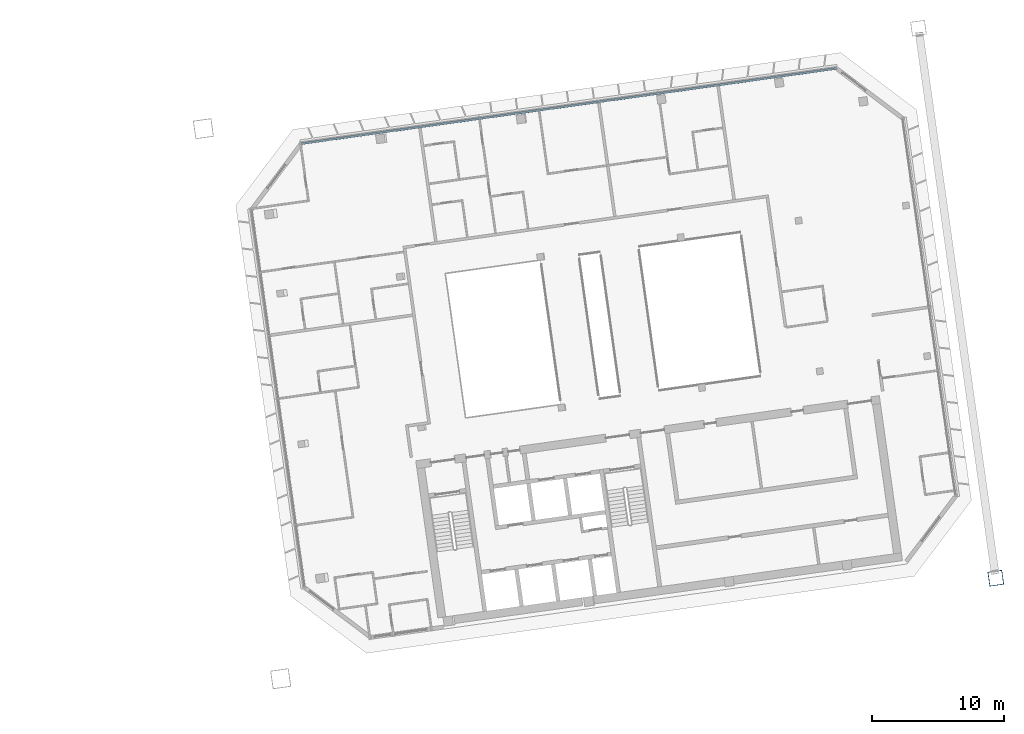
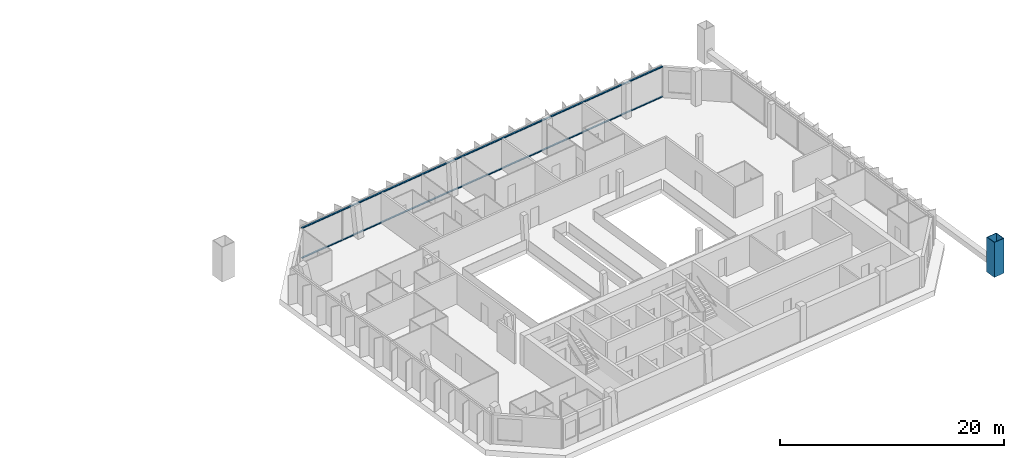
# One storey, part 10 of 26: 3 members, 1 element without a shape of its own.
"""IFC4 building model written with IfcOpenShell, lengths in metres."""

from ifc_helpers import new_model, si_unit, direction, frame, origin, origin_2d, place, context, subcontext, project, spatial, rectangle, hollow_rectangle, extrude, material, material_profile, profile_set, type_object, element, aggregate, save


model = new_model("IFC4")

# Units and contexts
model_context = context("Model", 3, precision=1e-05, world=origin(), true_north=direction((0.0, 1.0)))
body_context = subcontext(model_context, "Body", "Model", "MODEL_VIEW")
ifc_project = project(units=[si_unit("LENGTHUNIT", "METRE"), si_unit("AREAUNIT", "SQUARE_METRE"), si_unit("VOLUMEUNIT", "CUBIC_METRE"), si_unit("PLANEANGLEUNIT", "RADIAN"), si_unit("MASSUNIT", "GRAM", prefix="KILO")], contexts=[model_context])

# Site, building, storey
site_placement = place(None, origin())
site = spatial("IfcSite", under=ifc_project, at=site_placement, CompositionType="ELEMENT")
building_placement = place(site_placement, origin())
building = spatial("IfcBuilding", under=site, at=building_placement, Name="Mirante Cascada Hotel Towers", CompositionType="ELEMENT")
storey_placement = place(building_placement, frame((0.0, 0.0, 216.6)))
storey = spatial("IfcBuildingStorey", under=building, at=storey_placement, Name="L51", CompositionType="ELEMENT", Elevation=216.6)

# Member
ifc_material_1 = material(Name="Steel ASTM A572 Gr 50", Category="steel")
ifc_material_profile_1 = material_profile(ifc_material_1, hollow_rectangle(XDim=1.1, YDim=1.1, WallThickness=0.05, at=origin_2d()), Name="Box post 1100x1100x50 ASTM A572 Gr 50")
ifc_profile_set_1 = profile_set([ifc_material_profile_1], Name="Steel ASTM A572 Gr 50")
member_type_1 = type_object("IfcMemberType", Name="Box post 1100x1100x50 ASTM A572 Gr 50", PredefinedType="POST", material=ifc_profile_set_1)
member_1_placement = place(storey_placement, frame((79.4652, -16.2545, 0.0), z_axis=(0.0, 0.0, 1.0), x_axis=(0.9902681, 0.1391731, 0.0)))
element("IfcMember", 1, at=member_1_placement, inside=storey, type_object=member_type_1, Name="Mega column MP4 T2 L51", PredefinedType="POST", context=body_context, shape_type="SweptSolid", body=[
    extrude(hollow_rectangle(XDim=1.1, YDim=1.1, WallThickness=0.05, at=origin_2d()), origin(), (0.0, 0.0, 1.0), 3.8),
])

# Curtain wall, members
ifc_material_2 = material(Name="Aluminium mullion and transom frame with clear laminated glass", Category="aluminium")
curtain_wall_type = type_object("IfcCurtainWallType", Name="Ribbon curtain wall ECW1", PredefinedType="NOTDEFINED", material=ifc_material_2)
curtain_wall_placement = place(storey_placement, origin())
curtain_wall = element("IfcCurtainWall", 2, at=curtain_wall_placement, inside=storey, type_object=curtain_wall_type, Name="Front ribbon wall T2 L51", PredefinedType="NOTDEFINED")
ifc_material_3 = material(Name="Anodised aluminium extrusion", Category="aluminium")
ifc_material_profile_2 = material_profile(ifc_material_3, rectangle(XDim=0.16, YDim=0.1, at=origin_2d()), Name="ECW1 TRANSOM 100x160")
ifc_profile_set_2 = profile_set([ifc_material_profile_2], Name="Anodised aluminium extrusion")
member_type_2 = type_object("IfcMemberType", Name="ECW1 transom 100x160", PredefinedType="USERDEFINED", material=ifc_profile_set_2)
member_2_placement = place(storey_placement, frame((67.4209, 22.2944, 0.05), z_axis=(-0.990268, -0.1391736, 0.0), x_axis=(0.1391736, -0.990268, 0.0)))
member_2 = element("IfcMember", 3, at=member_2_placement, type_object=member_type_2, Name="ECW1 sill transom", ObjectType="TRANSOM", PredefinedType="USERDEFINED", context=body_context, shape_type="SweptSolid", body=[
    extrude(rectangle(XDim=0.16, YDim=0.1, at=origin_2d()), origin(), (0.0, 0.0, 1.0), 40.8713),
])
member_3_placement = place(storey_placement, frame((67.4209, 22.2944, 3.3), z_axis=(-0.990268, -0.1391736, 0.0), x_axis=(0.1391736, -0.990268, 0.0)))
member_3 = element("IfcMember", 4, at=member_3_placement, type_object=member_type_2, Name="ECW1 head transom", ObjectType="TRANSOM", PredefinedType="USERDEFINED", context=body_context, shape_type="SweptSolid", body=[
    extrude(rectangle(XDim=0.16, YDim=0.1, at=origin_2d()), origin(), (0.0, 0.0, 1.0), 40.8713),
])
aggregate(curtain_wall, [member_2, member_3])

save(model, "model.ifc")
